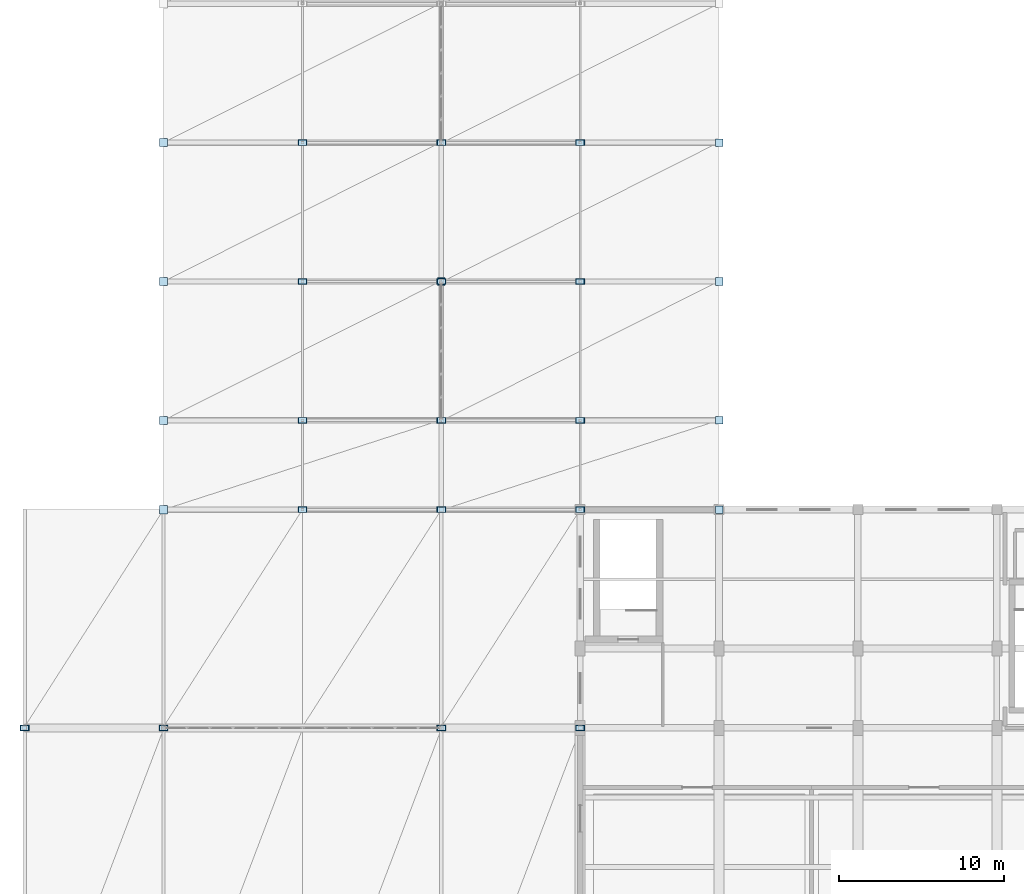
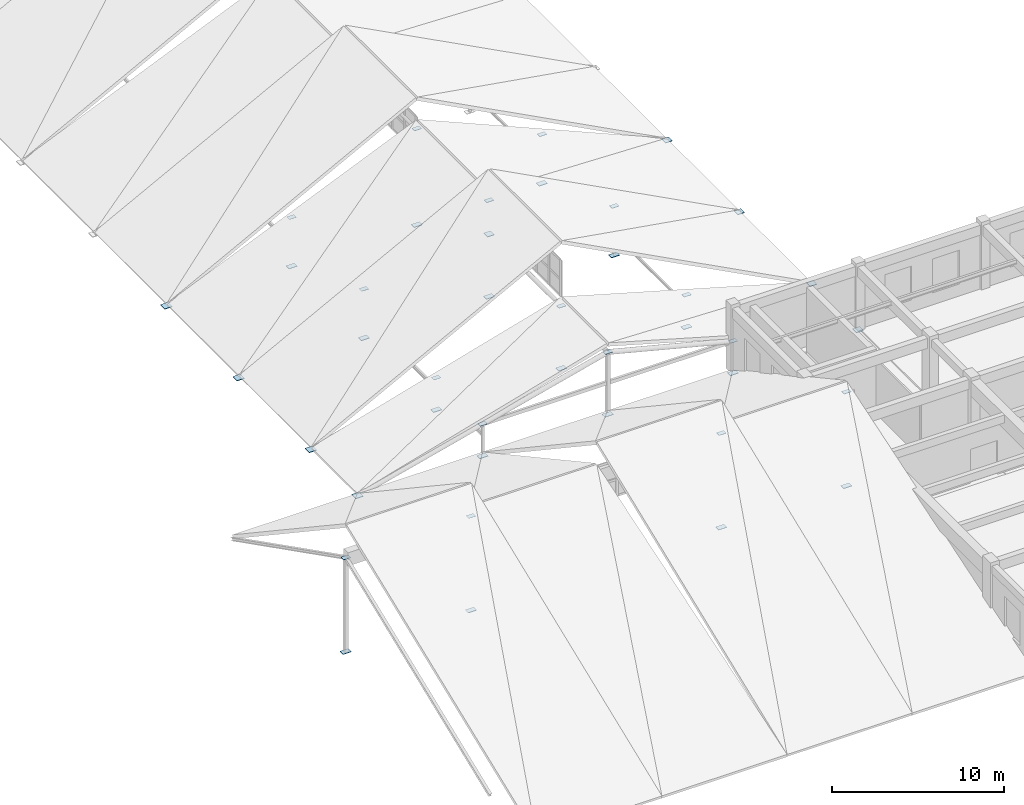
# One storey, part 62 of 76: 41 plates.
"""IFC4 building model written with IfcOpenShell, lengths in metres."""

import ifcopenshell
import ifcopenshell.guid

model = None  # the IFC model being written
_history = None  # IfcOwnerHistory: only IFC2X3 demands one
_inside = {}  # id of a spatial element -> (the spatial element, [elements in it])
_under = {}  # id of a project, library or spatial element -> (it, [spatial elements below it])
_declared = {}  # id of a project -> (the project, [libraries it declares])
_typed = {}  # id of a type object -> (the type object, [elements of that type])
_made_of = {}  # id of a material, layer set ... -> (it, [elements and type objects made of it])


def new_model(schema):
    """Start an empty IFC model of exactly this schema.

    Asked for "IFC4X3", IfcOpenShell would pick the latest addendum, in which some entities
    have other attributes; the version numbers below select the first issue.
    IFC2X3 requires an IfcOwnerHistory on every rooted entity: one is made here for all.
    """
    global model, _history
    if schema == "IFC4X3":
        model = ifcopenshell.file(schema_version=(4, 3, 0, 0))
    else:
        model = ifcopenshell.file(schema=schema)
    _inside.clear()
    _under.clear()
    _declared.clear()
    _typed.clear()
    _made_of.clear()
    _history = None
    if model.schema == "IFC2X3":
        org = make("IfcOrganization", Name="unknown")
        user = make(
            "IfcPersonAndOrganization",
            ThePerson=make("IfcPerson", FamilyName="unknown"),
            TheOrganization=org,
        )
        app = make(
            "IfcApplication",
            ApplicationDeveloper=org,
            Version="unknown",
            ApplicationFullName="unknown",
            ApplicationIdentifier="unknown",
        )
        _history = make(
            "IfcOwnerHistory",
            OwningUser=user,
            OwningApplication=app,
            ChangeAction="ADDED",
            CreationDate=0,
        )
    return model


def make(cls, **values):
    """One entity of the class cls with the attributes given. An attribute that is None is left unset."""
    return model.create_entity(
        cls, **{name: value for name, value in values.items() if value is not None}
    )


def rooted(cls, **values):
    """An entity with a GlobalId (a new one), such as an element, a storey or a relation."""
    return make(cls, GlobalId=ifcopenshell.guid.new(), OwnerHistory=_history, **values)


def si_unit(unit_type, name, prefix=None):
    """IfcSIUnit, for example si_unit("LENGTHUNIT", "METRE", prefix="MILLI")."""
    return make("IfcSIUnit", UnitType=unit_type, Prefix=prefix, Name=name)


def assignment(units):
    """IfcUnitAssignment: the units of a project."""
    return None if units is None else make("IfcUnitAssignment", Units=units)


def point(xyz):
    """IfcCartesianPoint."""
    return None if xyz is None else make("IfcCartesianPoint", Coordinates=xyz)


def direction(xyz):
    """IfcDirection."""
    return None if xyz is None else make("IfcDirection", DirectionRatios=xyz)


def frame(location, z_axis=None, x_axis=None):
    """IfcAxis2Placement3D, a coordinate frame: its origin and axes. An axis left out is left unset."""
    return make(
        "IfcAxis2Placement3D",
        Location=point(location),
        Axis=direction(z_axis),
        RefDirection=direction(x_axis),
    )


def frame_2d(location, x_axis=None):
    """IfcAxis2Placement2D, a coordinate frame in the plane: its origin and x axis."""
    return make(
        "IfcAxis2Placement2D", Location=point(location), RefDirection=direction(x_axis)
    )


def origin():
    """The frame at (0, 0, 0) with its axes left unset."""
    return frame((0.0, 0.0, 0.0))


def origin_2d():
    """The frame at (0, 0) in the plane with its x axis left unset."""
    return frame_2d((0.0, 0.0))


def place(relative_to, where):
    """IfcLocalPlacement: puts the frame where relative to a parent placement (None: the world)."""
    return make(
        "IfcLocalPlacement", PlacementRelTo=relative_to, RelativePlacement=where
    )


def context(
    kind, dimensions, precision=None, world=None, true_north=None, identifier=None
):
    """IfcGeometricRepresentationContext, for example the 3D "Model" context."""
    return make(
        "IfcGeometricRepresentationContext",
        ContextIdentifier=identifier,
        ContextType=kind,
        CoordinateSpaceDimension=dimensions,
        Precision=precision,
        WorldCoordinateSystem=world,
        TrueNorth=true_north,
    )


def subcontext(parent, identifier, kind, view, scale=None):
    """IfcGeometricRepresentationSubContext, for example "Body" below "Model"."""
    return make(
        "IfcGeometricRepresentationSubContext",
        ContextIdentifier=identifier,
        ContextType=kind,
        ParentContext=parent,
        TargetScale=scale,
        TargetView=view,
    )


def project(units=None, contexts=None):
    """IfcProject with its units and contexts."""
    return rooted(
        "IfcProject",
        Name="project",
        RepresentationContexts=contexts,
        UnitsInContext=assignment(units),
    )


def spatial(cls, under=None, at=None, **own):
    """A site, building, storey or space (cls), placed at a placement, below another one or the project."""
    s = rooted(cls, ObjectPlacement=at, **own)
    if under is not None:
        _under.setdefault(under.id(), (under, []))[1].append(s)
    return s


def profile(cls, at=None, kind="AREA", **sizes):
    """A parametric profile (cls). Its sizes go by their IFC names, for example OverallWidth=200.0."""
    return make(cls, ProfileType=kind, Position=at, **sizes)


def rectangle(**sizes):
    """IfcRectangleProfileDef."""
    return profile("IfcRectangleProfileDef", **sizes)


def extrude(swept, where, along, depth):
    """IfcExtrudedAreaSolid: the profile swept, set in the frame where, extruded along a direction by depth."""
    return make(
        "IfcExtrudedAreaSolid",
        SweptArea=swept,
        Position=where,
        ExtrudedDirection=direction(along),
        Depth=depth,
    )


def shape(context_of_items, identifier, shape_type, items):
    """IfcShapeRepresentation: the items that make up one representation, for example the "Body"."""
    return make(
        "IfcShapeRepresentation",
        ContextOfItems=context_of_items,
        RepresentationIdentifier=identifier,
        RepresentationType=shape_type,
        Items=items,
    )


def material(Name=None, Category=None):
    """IfcMaterial."""
    return make("IfcMaterial", Name=Name, Category=Category)


def layer(
    of_material, thickness, ventilated=None, Name=None, Category=None, Priority=None
):
    """IfcMaterialLayer: one layer of a wall or slab, of a material (None: an air gap)."""
    return make(
        "IfcMaterialLayer",
        Material=of_material,
        LayerThickness=thickness,
        IsVentilated=ventilated,
        Name=Name,
        Category=Category,
        Priority=Priority,
    )


def layer_set(layers, Name=None):
    """IfcMaterialLayerSet."""
    return make("IfcMaterialLayerSet", MaterialLayers=layers, LayerSetName=Name)


def made_of(thing, what):
    """Note that an element or type object is made of a material, layer set ...; save() writes the relation."""
    if what is not None:
        _made_of.setdefault(what.id(), (what, []))[1].append(thing)
    return thing


def type_object(cls, material=None, **own):
    """A type object (cls), such as IfcWallType, which elements share."""
    return made_of(rooted(cls, **own), material)


def element(
    cls,
    number,
    at=None,
    inside=None,
    cuts=None,
    type_object=None,
    material=None,
    context=None,
    identifier="Body",
    shape_type=None,
    held_by="IfcProductDefinitionShape",
    body=None,
    shapes=None,
    **own,
):
    """One element of the class cls, such as IfcWall. Its Tag is "e" and its number.

    at: its placement. inside: the storey or other place that contains it. cuts: it is an
    opening in that element (IfcRelVoidsElement). A single representation is given by context,
    identifier, shape_type and body (its items); several are given by shapes. held_by: the class
    of the entity that holds the representations. save() writes the other relations.
    """
    e = rooted(cls, Tag="e%d" % number, ObjectPlacement=at, **own)
    if body is not None:
        shapes = [shape(context, identifier, shape_type, body)]
    if shapes is not None:
        e.Representation = make(held_by, Representations=shapes)
    if inside is not None:
        _inside.setdefault(inside.id(), (inside, []))[1].append(e)
    if cuts is not None:
        rooted(
            "IfcRelVoidsElement", RelatingBuildingElement=cuts, RelatedOpeningElement=e
        )
    if type_object is not None:
        _typed.setdefault(type_object.id(), (type_object, []))[1].append(e)
    return made_of(e, material)


def aggregate(whole, parts):
    """IfcRelAggregates: a whole, such as a stair, and the parts it consists of."""
    return rooted("IfcRelAggregates", RelatingObject=whole, RelatedObjects=parts)


def save(model, path):
    """Write the relations noted so far, then the file.

    IfcRelAggregates (storeys below a building ...), IfcRelContainedInSpatialStructure (elements
    in a storey), IfcRelDefinesByType, IfcRelAssociatesMaterial and IfcRelDeclares: one each for
    every whole, place, type object, material and project.
    """
    for whole, parts in _under.values():
        aggregate(whole, parts)
    for where, things in _inside.values():
        rooted(
            "IfcRelContainedInSpatialStructure",
            RelatedElements=things,
            RelatingStructure=where,
        )
    for kind, things in _typed.values():
        rooted("IfcRelDefinesByType", RelatedObjects=things, RelatingType=kind)
    for what, things in _made_of.values():
        rooted("IfcRelAssociatesMaterial", RelatedObjects=things, RelatingMaterial=what)
    for by, libraries in _declared.values():
        rooted("IfcRelDeclares", RelatingContext=by, RelatedDefinitions=libraries)
    model.write(path)


model = new_model("IFC4")

# Units and contexts
model_context = context("Model", 3, precision=1e-05, world=origin(), true_north=direction((0.0, 1.0)))
body_context = subcontext(model_context, "Body", "Model", "MODEL_VIEW")
ifc_project = project(units=[si_unit("LENGTHUNIT", "METRE"), si_unit("AREAUNIT", "SQUARE_METRE"), si_unit("VOLUMEUNIT", "CUBIC_METRE"), si_unit("PLANEANGLEUNIT", "RADIAN"), si_unit("MASSUNIT", "GRAM", prefix="KILO")], contexts=[model_context])

# Site, building, storey
site_placement = place(None, origin())
site = spatial("IfcSite", under=ifc_project, at=site_placement, CompositionType="ELEMENT")
building_placement = place(site_placement, origin())
building = spatial("IfcBuilding", under=site, at=building_placement, Name="Krzemoval Escarpment Law Courts", CompositionType="ELEMENT")
storey_placement = place(building_placement, frame((0.0, 0.0, 20.39990234375)))
storey = spatial("IfcBuildingStorey", under=building, at=storey_placement, Name="L04", CompositionType="ELEMENT", Elevation=20.39990234375)

# Plates
ifc_material_1 = material(Name="Steel S355", Category="steel")
ifc_layer_1 = layer(ifc_material_1, 0.034912109375)
ifc_layer_set_1 = layer_set([ifc_layer_1], Name="Steel S355")
plate_type_1 = type_object("IfcPlateType", Name="PLT-FLG-35", PredefinedType="USERDEFINED", material=ifc_layer_set_1)
for number, where, z_axis, x_axis, name in (
    (1, (42.0, 35.39990234375, -0.16748046875), (0.0, 0.0, 1.0), (1.0, 0.0, 0.0), "Gusset and End-Cap Plate ECP-0041"),
    (2, (42.0, 40.800048828125, -0.16748046875), (0.0, 0.0, 1.0), (1.0, 0.0, 0.0), "Gusset and End-Cap Plate ECP-0049"),
    (3, (42.0, 49.199951171875, -0.16748046875), (0.0, 0.0, 1.0), (1.0, 0.0, 0.0), "Gusset and End-Cap Plate ECP-0057"),
    (4, (42.0, 57.60009765625, -0.16748046875), (0.0, 0.0, 1.0), (1.0, 0.0, 0.0), "Gusset and End-Cap Plate ECP-0065"),
    (5, (25.199951171875, 49.199951171875, 4.1328125), (0.0, 0.0, 1.0), (1.0, 0.0, 0.0), "Gusset and End-Cap Plate ECP-0106"),
):
    element("IfcPlate", number, at=place(storey_placement, frame(where, z_axis=z_axis, x_axis=x_axis)), inside=storey, type_object=plate_type_1, Name=name, ObjectType="FLANGE_PLATE", PredefinedType="USERDEFINED", context=body_context, shape_type="SweptSolid", body=[
        extrude(rectangle(XDim=0.4599609375, YDim=0.4599609375, at=origin_2d()), origin(), (0.0, 0.0, 1.0), 0.034912109375),
    ])
ifc_material_2 = material(Name="Steel S355", Category="steel")
ifc_layer_2 = layer(ifc_material_2, 0.0400390625)
ifc_layer_set_2 = layer_set([ifc_layer_2], Name="Steel S355")
plate_type_2 = type_object("IfcPlateType", Name="PLT-FLG-40", PredefinedType="USERDEFINED", material=ifc_layer_set_2)
for number, where, z_axis, x_axis, name in (
    (6, (8.39990234375, 35.39990234375, -0.169921875), (0.0, 0.0, 1.0), (1.0, 0.0, 0.0), "Gusset and End-Cap Plate ECP-0040"),
    (7, (8.39990234375, 40.800048828125, -0.169921875), (0.0, 0.0, 1.0), (1.0, 0.0, 0.0), "Gusset and End-Cap Plate ECP-0048"),
    (8, (8.39990234375, 49.199951171875, -0.169921875), (0.0, 0.0, 1.0), (1.0, 0.0, 0.0), "Gusset and End-Cap Plate ECP-0056"),
    (9, (8.39990234375, 57.60009765625, -0.169921875), (0.0, 0.0, 1.0), (1.0, 0.0, 0.0), "Gusset and End-Cap Plate ECP-0064"),
):
    element("IfcPlate", number, at=place(storey_placement, frame(where, z_axis=z_axis, x_axis=x_axis)), inside=storey, type_object=plate_type_2, Name=name, ObjectType="FLANGE_PLATE", PredefinedType="USERDEFINED", context=body_context, shape_type="SweptSolid", body=[
        extrude(rectangle(XDim=0.5, YDim=0.5, at=origin_2d()), origin(), (0.0, 0.0, 1.0), 0.0400390625),
    ])
ifc_material_3 = material(Name="Steel S355", Category="steel")
ifc_layer_3 = layer(ifc_material_3, 0.02001953125)
ifc_layer_set_3 = layer_set([ifc_layer_3], Name="Steel S355")
plate_type_3 = type_object("IfcPlateType", Name="PLT-GUS-20", PredefinedType="USERDEFINED", material=ifc_layer_set_3)
for number, where, z_axis, x_axis, name in (
    (10, (25.199951171875, 35.39990234375, 4.14013671875), (0.0, 0.0, 1.0), (1.0, 0.0, 0.0), "Gusset and End-Cap Plate ECP-0035"),
    (11, (16.800048828125, 35.39990234375, 1.989990234375), (0.0, 0.0, 1.0), (1.0, 0.0, 0.0), "Gusset and End-Cap Plate ECP-0037"),
    (12, (33.60009765625, 35.39990234375, 1.989990234375), (0.0, 0.0, 1.0), (1.0, 0.0, 0.0), "Gusset and End-Cap Plate ECP-0039"),
    (13, (25.199951171875, 40.800048828125, 4.14013671875), (0.0, 0.0, 1.0), (1.0, 0.0, 0.0), "Gusset and End-Cap Plate ECP-0043"),
    (14, (16.800048828125, 40.800048828125, 1.989990234375), (0.0, 0.0, 1.0), (1.0, 0.0, 0.0), "Gusset and End-Cap Plate ECP-0045"),
    (15, (33.60009765625, 40.800048828125, 1.989990234375), (0.0, 0.0, 1.0), (1.0, 0.0, 0.0), "Gusset and End-Cap Plate ECP-0047"),
    (16, (25.199951171875, 49.199951171875, 6.5400390625), (0.0, 0.0, 1.0), (1.0, 0.0, 0.0), "Gusset and End-Cap Plate ECP-0051"),
    (17, (16.800048828125, 49.199951171875, 3.190185546875), (0.0, 0.0, 1.0), (1.0, 0.0, 0.0), "Gusset and End-Cap Plate ECP-0053"),
    (18, (33.60009765625, 49.199951171875, 3.190185546875), (0.0, 0.0, 1.0), (1.0, 0.0, 0.0), "Gusset and End-Cap Plate ECP-0055"),
    (19, (25.199951171875, 57.60009765625, 6.5400390625), (0.0, 0.0, 1.0), (1.0, 0.0, 0.0), "Gusset and End-Cap Plate ECP-0059"),
    (20, (16.800048828125, 57.60009765625, 3.190185546875), (0.0, 0.0, 1.0), (1.0, 0.0, 0.0), "Gusset and End-Cap Plate ECP-0061"),
    (21, (33.60009765625, 57.60009765625, 3.190185546875), (0.0, 0.0, 1.0), (1.0, 0.0, 0.0), "Gusset and End-Cap Plate ECP-0063"),
    (22, (0.0, 22.199951171875, 6.39013671875), (0.0, 0.0, 1.0), (1.0, 0.0, 0.0), "Gusset and End-Cap Plate ECP-0109"),
    (23, (8.39990234375, 22.199951171875, 6.39013671875), (0.0, 0.0, 1.0), (1.0, 0.0, 0.0), "Gusset and End-Cap Plate ECP-0111"),
    (24, (25.199951171875, 22.199951171875, 6.39013671875), (0.0, 0.0, 1.0), (1.0, 0.0, 0.0), "Gusset and End-Cap Plate ECP-0113"),
    (25, (33.60009765625, 22.199951171875, 6.39013671875), (0.0, 0.0, 1.0), (1.0, 0.0, 0.0), "Gusset and End-Cap Plate ECP-0115"),
):
    element("IfcPlate", number, at=place(storey_placement, frame(where, z_axis=z_axis, x_axis=x_axis)), inside=storey, type_object=plate_type_3, Name=name, ObjectType="GUSSET_PLATE", PredefinedType="USERDEFINED", context=body_context, shape_type="SweptSolid", body=[
        extrude(rectangle(XDim=0.47998046875, YDim=0.320068359375, at=origin_2d()), origin(), (0.0, 0.0, 1.0), 0.02001953125),
    ])
ifc_material_4 = material(Name="Steel S355", Category="steel")
ifc_layer_4 = layer(ifc_material_4, 0.030029296875)
ifc_layer_set_4 = layer_set([ifc_layer_4], Name="Steel S355")
plate_type_4 = type_object("IfcPlateType", Name="PLT-GUS-30", PredefinedType="USERDEFINED", material=ifc_layer_set_4)
for number, where, z_axis, x_axis, name in (
    (26, (25.199951171875, 35.39990234375, -0.294921875), (0.0, 0.0, 1.0), (1.0, 0.0, 0.0), "Gusset and End-Cap Plate ECP-0034"),
    (27, (16.800048828125, 35.39990234375, -0.294921875), (0.0, 0.0, 1.0), (1.0, 0.0, 0.0), "Gusset and End-Cap Plate ECP-0036"),
    (28, (33.60009765625, 35.39990234375, -0.294921875), (0.0, 0.0, 1.0), (1.0, 0.0, 0.0), "Gusset and End-Cap Plate ECP-0038"),
    (29, (25.199951171875, 40.800048828125, -0.294921875), (0.0, 0.0, 1.0), (1.0, 0.0, 0.0), "Gusset and End-Cap Plate ECP-0042"),
    (30, (16.800048828125, 40.800048828125, -0.294921875), (0.0, 0.0, 1.0), (1.0, 0.0, 0.0), "Gusset and End-Cap Plate ECP-0044"),
    (31, (33.60009765625, 40.800048828125, -0.294921875), (0.0, 0.0, 1.0), (1.0, 0.0, 0.0), "Gusset and End-Cap Plate ECP-0046"),
    (32, (25.199951171875, 49.199951171875, -0.294921875), (0.0, 0.0, 1.0), (1.0, 0.0, 0.0), "Gusset and End-Cap Plate ECP-0050"),
    (33, (16.800048828125, 49.199951171875, -0.294921875), (0.0, 0.0, 1.0), (1.0, 0.0, 0.0), "Gusset and End-Cap Plate ECP-0052"),
    (34, (33.60009765625, 49.199951171875, -0.294921875), (0.0, 0.0, 1.0), (1.0, 0.0, 0.0), "Gusset and End-Cap Plate ECP-0054"),
    (35, (25.199951171875, 57.60009765625, -0.294921875), (0.0, 0.0, 1.0), (1.0, 0.0, 0.0), "Gusset and End-Cap Plate ECP-0058"),
    (36, (16.800048828125, 57.60009765625, -0.294921875), (0.0, 0.0, 1.0), (1.0, 0.0, 0.0), "Gusset and End-Cap Plate ECP-0060"),
    (37, (33.60009765625, 57.60009765625, -0.294921875), (0.0, 0.0, 1.0), (1.0, 0.0, 0.0), "Gusset and End-Cap Plate ECP-0062"),
    (38, (0.0, 22.199951171875, -0.294921875), (0.0, 0.0, 1.0), (1.0, 0.0, 0.0), "Gusset and End-Cap Plate ECP-0108"),
    (39, (8.39990234375, 22.199951171875, -0.294921875), (0.0, 0.0, 1.0), (1.0, 0.0, 0.0), "Gusset and End-Cap Plate ECP-0110"),
    (40, (25.199951171875, 22.199951171875, -0.294921875), (0.0, 0.0, 1.0), (1.0, 0.0, 0.0), "Gusset and End-Cap Plate ECP-0112"),
    (41, (33.60009765625, 22.199951171875, -0.294921875), (0.0, 0.0, 1.0), (1.0, 0.0, 0.0), "Gusset and End-Cap Plate ECP-0114"),
):
    element("IfcPlate", number, at=place(storey_placement, frame(where, z_axis=z_axis, x_axis=x_axis)), inside=storey, type_object=plate_type_4, Name=name, ObjectType="GUSSET_PLATE", PredefinedType="USERDEFINED", context=body_context, shape_type="SweptSolid", body=[
        extrude(rectangle(XDim=0.56005859375, YDim=0.360107421875, at=origin_2d()), origin(), (0.0, 0.0, 1.0), 0.030029296875),
    ])

save(model, "model.ifc")
